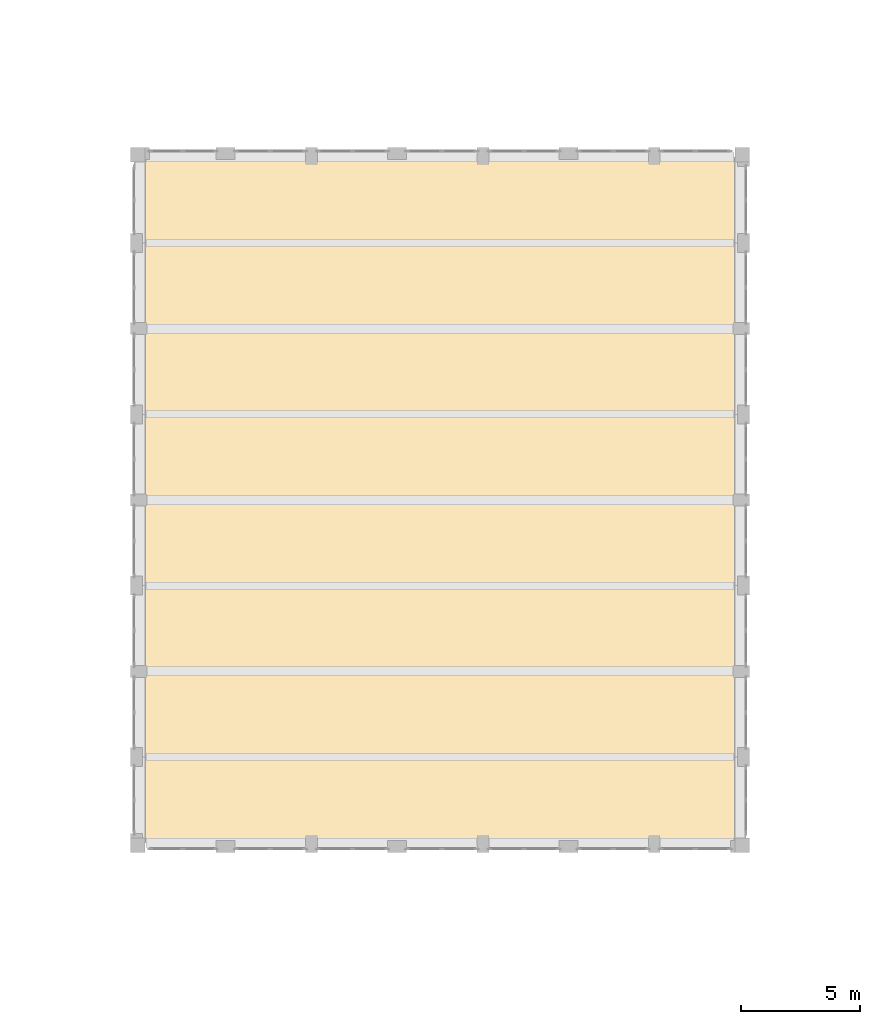
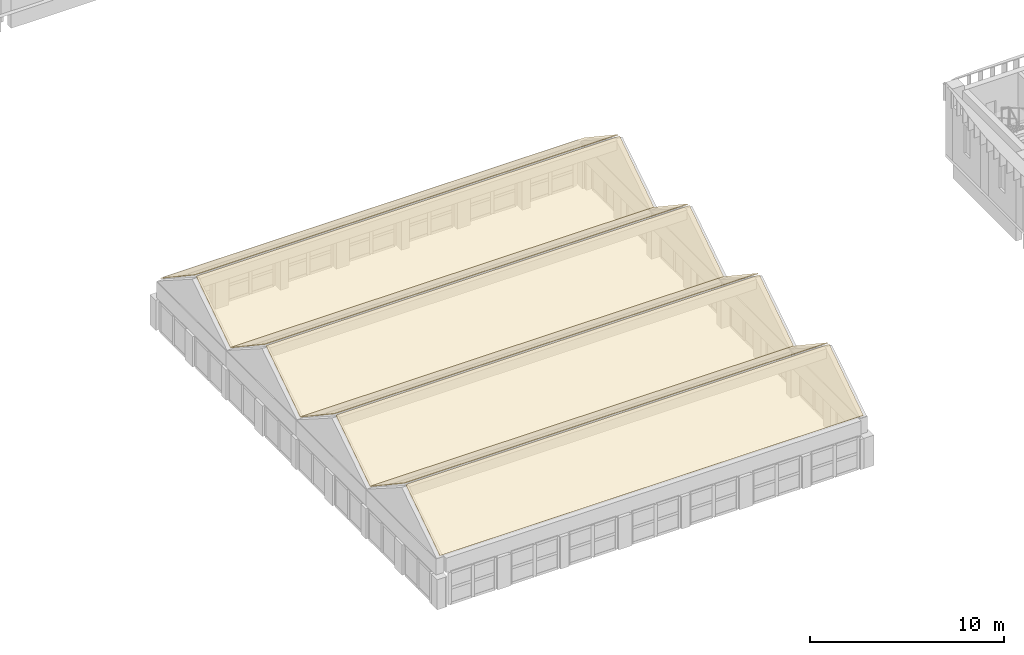
# One storey, part 19 of 38: 8 coverings.
"""IFC4 building model written with IfcOpenShell, lengths in metres."""

import ifcopenshell
import ifcopenshell.guid

model = None  # the IFC model being written
_history = None  # IfcOwnerHistory: only IFC2X3 demands one
_inside = {}  # id of a spatial element -> (the spatial element, [elements in it])
_under = {}  # id of a project, library or spatial element -> (it, [spatial elements below it])
_declared = {}  # id of a project -> (the project, [libraries it declares])
_typed = {}  # id of a type object -> (the type object, [elements of that type])
_made_of = {}  # id of a material, layer set ... -> (it, [elements and type objects made of it])


def new_model(schema):
    """Start an empty IFC model of exactly this schema.

    Asked for "IFC4X3", IfcOpenShell would pick the latest addendum, in which some entities
    have other attributes; the version numbers below select the first issue.
    IFC2X3 requires an IfcOwnerHistory on every rooted entity: one is made here for all.
    """
    global model, _history
    if schema == "IFC4X3":
        model = ifcopenshell.file(schema_version=(4, 3, 0, 0))
    else:
        model = ifcopenshell.file(schema=schema)
    _inside.clear()
    _under.clear()
    _declared.clear()
    _typed.clear()
    _made_of.clear()
    _history = None
    if model.schema == "IFC2X3":
        org = make("IfcOrganization", Name="unknown")
        user = make(
            "IfcPersonAndOrganization",
            ThePerson=make("IfcPerson", FamilyName="unknown"),
            TheOrganization=org,
        )
        app = make(
            "IfcApplication",
            ApplicationDeveloper=org,
            Version="unknown",
            ApplicationFullName="unknown",
            ApplicationIdentifier="unknown",
        )
        _history = make(
            "IfcOwnerHistory",
            OwningUser=user,
            OwningApplication=app,
            ChangeAction="ADDED",
            CreationDate=0,
        )
    return model


def make(cls, **values):
    """One entity of the class cls with the attributes given. An attribute that is None is left unset."""
    return model.create_entity(
        cls, **{name: value for name, value in values.items() if value is not None}
    )


def rooted(cls, **values):
    """An entity with a GlobalId (a new one), such as an element, a storey or a relation."""
    return make(cls, GlobalId=ifcopenshell.guid.new(), OwnerHistory=_history, **values)


def si_unit(unit_type, name, prefix=None):
    """IfcSIUnit, for example si_unit("LENGTHUNIT", "METRE", prefix="MILLI")."""
    return make("IfcSIUnit", UnitType=unit_type, Prefix=prefix, Name=name)


def assignment(units):
    """IfcUnitAssignment: the units of a project."""
    return None if units is None else make("IfcUnitAssignment", Units=units)


def point(xyz):
    """IfcCartesianPoint."""
    return None if xyz is None else make("IfcCartesianPoint", Coordinates=xyz)


def direction(xyz):
    """IfcDirection."""
    return None if xyz is None else make("IfcDirection", DirectionRatios=xyz)


def frame(location, z_axis=None, x_axis=None):
    """IfcAxis2Placement3D, a coordinate frame: its origin and axes. An axis left out is left unset."""
    return make(
        "IfcAxis2Placement3D",
        Location=point(location),
        Axis=direction(z_axis),
        RefDirection=direction(x_axis),
    )


def origin():
    """The frame at (0, 0, 0) with its axes left unset."""
    return frame((0.0, 0.0, 0.0))


def place(relative_to, where):
    """IfcLocalPlacement: puts the frame where relative to a parent placement (None: the world)."""
    return make(
        "IfcLocalPlacement", PlacementRelTo=relative_to, RelativePlacement=where
    )


def context(
    kind, dimensions, precision=None, world=None, true_north=None, identifier=None
):
    """IfcGeometricRepresentationContext, for example the 3D "Model" context."""
    return make(
        "IfcGeometricRepresentationContext",
        ContextIdentifier=identifier,
        ContextType=kind,
        CoordinateSpaceDimension=dimensions,
        Precision=precision,
        WorldCoordinateSystem=world,
        TrueNorth=true_north,
    )


def subcontext(parent, identifier, kind, view, scale=None):
    """IfcGeometricRepresentationSubContext, for example "Body" below "Model"."""
    return make(
        "IfcGeometricRepresentationSubContext",
        ContextIdentifier=identifier,
        ContextType=kind,
        ParentContext=parent,
        TargetScale=scale,
        TargetView=view,
    )


def project(units=None, contexts=None):
    """IfcProject with its units and contexts."""
    return rooted(
        "IfcProject",
        Name="project",
        RepresentationContexts=contexts,
        UnitsInContext=assignment(units),
    )


def spatial(cls, under=None, at=None, **own):
    """A site, building, storey or space (cls), placed at a placement, below another one or the project."""
    s = rooted(cls, ObjectPlacement=at, **own)
    if under is not None:
        _under.setdefault(under.id(), (under, []))[1].append(s)
    return s


def polyline(points):
    """IfcPolyline through the points."""
    return make("IfcPolyline", Points=[point(p) for p in points])


def outline(outer, holes=None, kind="AREA"):
    """IfcArbitraryClosedProfileDef: a profile drawn as a closed curve; with holes, ...WithVoids."""
    if holes is None:
        return make("IfcArbitraryClosedProfileDef", ProfileType=kind, OuterCurve=outer)
    return make(
        "IfcArbitraryProfileDefWithVoids",
        ProfileType=kind,
        OuterCurve=outer,
        InnerCurves=holes,
    )


def extrude(swept, where, along, depth):
    """IfcExtrudedAreaSolid: the profile swept, set in the frame where, extruded along a direction by depth."""
    return make(
        "IfcExtrudedAreaSolid",
        SweptArea=swept,
        Position=where,
        ExtrudedDirection=direction(along),
        Depth=depth,
    )


def shape(context_of_items, identifier, shape_type, items):
    """IfcShapeRepresentation: the items that make up one representation, for example the "Body"."""
    return make(
        "IfcShapeRepresentation",
        ContextOfItems=context_of_items,
        RepresentationIdentifier=identifier,
        RepresentationType=shape_type,
        Items=items,
    )


def material(Name=None, Category=None):
    """IfcMaterial."""
    return make("IfcMaterial", Name=Name, Category=Category)


def layer(
    of_material, thickness, ventilated=None, Name=None, Category=None, Priority=None
):
    """IfcMaterialLayer: one layer of a wall or slab, of a material (None: an air gap)."""
    return make(
        "IfcMaterialLayer",
        Material=of_material,
        LayerThickness=thickness,
        IsVentilated=ventilated,
        Name=Name,
        Category=Category,
        Priority=Priority,
    )


def layer_set(layers, Name=None):
    """IfcMaterialLayerSet."""
    return make("IfcMaterialLayerSet", MaterialLayers=layers, LayerSetName=Name)


def made_of(thing, what):
    """Note that an element or type object is made of a material, layer set ...; save() writes the relation."""
    if what is not None:
        _made_of.setdefault(what.id(), (what, []))[1].append(thing)
    return thing


def type_object(cls, material=None, **own):
    """A type object (cls), such as IfcWallType, which elements share."""
    return made_of(rooted(cls, **own), material)


def element(
    cls,
    number,
    at=None,
    inside=None,
    cuts=None,
    type_object=None,
    material=None,
    context=None,
    identifier="Body",
    shape_type=None,
    held_by="IfcProductDefinitionShape",
    body=None,
    shapes=None,
    **own,
):
    """One element of the class cls, such as IfcWall. Its Tag is "e" and its number.

    at: its placement. inside: the storey or other place that contains it. cuts: it is an
    opening in that element (IfcRelVoidsElement). A single representation is given by context,
    identifier, shape_type and body (its items); several are given by shapes. held_by: the class
    of the entity that holds the representations. save() writes the other relations.
    """
    e = rooted(cls, Tag="e%d" % number, ObjectPlacement=at, **own)
    if body is not None:
        shapes = [shape(context, identifier, shape_type, body)]
    if shapes is not None:
        e.Representation = make(held_by, Representations=shapes)
    if inside is not None:
        _inside.setdefault(inside.id(), (inside, []))[1].append(e)
    if cuts is not None:
        rooted(
            "IfcRelVoidsElement", RelatingBuildingElement=cuts, RelatedOpeningElement=e
        )
    if type_object is not None:
        _typed.setdefault(type_object.id(), (type_object, []))[1].append(e)
    return made_of(e, material)


def aggregate(whole, parts):
    """IfcRelAggregates: a whole, such as a stair, and the parts it consists of."""
    return rooted("IfcRelAggregates", RelatingObject=whole, RelatedObjects=parts)


def save(model, path):
    """Write the relations noted so far, then the file.

    IfcRelAggregates (storeys below a building ...), IfcRelContainedInSpatialStructure (elements
    in a storey), IfcRelDefinesByType, IfcRelAssociatesMaterial and IfcRelDeclares: one each for
    every whole, place, type object, material and project.
    """
    for whole, parts in _under.values():
        aggregate(whole, parts)
    for where, things in _inside.values():
        rooted(
            "IfcRelContainedInSpatialStructure",
            RelatedElements=things,
            RelatingStructure=where,
        )
    for kind, things in _typed.values():
        rooted("IfcRelDefinesByType", RelatedObjects=things, RelatingType=kind)
    for what, things in _made_of.values():
        rooted("IfcRelAssociatesMaterial", RelatedObjects=things, RelatingMaterial=what)
    for by, libraries in _declared.values():
        rooted("IfcRelDeclares", RelatingContext=by, RelatedDefinitions=libraries)
    model.write(path)


model = new_model("IFC4")

# Units and contexts
model_context = context("Model", 3, precision=1e-05, world=origin(), true_north=direction((0.0, 1.0)))
body_context = subcontext(model_context, "Body", "Model", "MODEL_VIEW")
ifc_project = project(units=[si_unit("LENGTHUNIT", "METRE"), si_unit("AREAUNIT", "SQUARE_METRE"), si_unit("VOLUMEUNIT", "CUBIC_METRE"), si_unit("PLANEANGLEUNIT", "RADIAN"), si_unit("MASSUNIT", "GRAM", prefix="KILO")], contexts=[model_context])

# Site, building, storey
site_placement = place(None, origin())
site = spatial("IfcSite", under=ifc_project, at=site_placement, CompositionType="ELEMENT")
building_placement = place(site_placement, origin())
building = spatial("IfcBuilding", under=site, at=building_placement, Name="Ussher Court Research Institute", CompositionType="ELEMENT")
storey_placement = place(building_placement, frame((0.0, 0.0, 23.39990234375)))
storey = spatial("IfcBuildingStorey", under=building, at=storey_placement, Name="L05", CompositionType="ELEMENT", Elevation=23.39990234375)

# Coverings
ifc_material = material(Name="White reflective membrane")
ifc_layer = layer(ifc_material, 0.0400390625)
ifc_layer_set = layer_set([ifc_layer], Name="White reflective membrane")
covering_type = type_object("IfcCoveringType", Name="White membrane covering on folded plate 40", PredefinedType="ROOFING", material=ifc_layer_set)
covering_1_placement = place(storey_placement, frame((39.0, 11.199951171875, 3.048095703125), z_axis=(0.0, -0.554686866501, 0.832059180667), x_axis=(1.0, 0.0, 0.0)))
element("IfcCovering", 1, at=covering_1_placement, inside=storey, type_object=covering_type, Name="Roof covering RC2 V2", PredefinedType="ROOFING", context=body_context, shape_type="SweptSolid", body=[
    extrude(outline(polyline([(0.0, 0.0), (25.199951171875, 0.0), (25.199951171875, 4.226677362428985), (0.0, 4.226677362428985), (0.0, 0.0)])), origin(), (0.0, 0.0, -1.0), 0.0400390625),
])
covering_2_placement = place(storey_placement, frame((39.0, 18.39990234375, 3.048095703125), z_axis=(0.0, 0.554713526448, 0.832041407368), x_axis=(1.0, 0.0, 0.0)))
element("IfcCovering", 2, at=covering_2_placement, inside=storey, type_object=covering_type, Name="Roof covering RC2 V2", PredefinedType="ROOFING", context=body_context, shape_type="SweptSolid", body=[
    extrude(outline(polyline([(0.0, 0.0), (25.199951171875, 0.0), (25.199951171875, -4.22647422515012), (0.0, -4.22647422515012), (0.0, 0.0)])), origin(), (0.0, 0.0, -1.0), 0.0400390625),
])
covering_3_placement = place(storey_placement, frame((39.0, 18.39990234375, 3.048095703125), z_axis=(0.0, -0.554686866501, 0.832059180667), x_axis=(1.0, 0.0, 0.0)))
element("IfcCovering", 3, at=covering_3_placement, inside=storey, type_object=covering_type, Name="Roof covering RC2 V2", PredefinedType="ROOFING", context=body_context, shape_type="SweptSolid", body=[
    extrude(outline(polyline([(0.0, 0.0), (25.199951171875, 0.0), (25.199951171875, 4.226677362428985), (0.0, 4.226677362428985), (0.0, 0.0)])), origin(), (0.0, 0.0, -1.0), 0.0400390625),
])
covering_4_placement = place(storey_placement, frame((39.0, 25.60009765625, 3.048095703125), z_axis=(0.0, 0.554686866501, 0.832059180667), x_axis=(1.0, 0.0, 0.0)))
element("IfcCovering", 4, at=covering_4_placement, inside=storey, type_object=covering_type, Name="Roof covering RC2 V2", PredefinedType="ROOFING", context=body_context, shape_type="SweptSolid", body=[
    extrude(outline(polyline([(0.0, 0.0), (25.199951171875, 0.0), (25.199951171875, -4.226677362428985), (0.0, -4.226677362428985), (0.0, 0.0)])), origin(), (0.0, 0.0, -1.0), 0.0400390625),
])
covering_5_placement = place(storey_placement, frame((39.0, 25.60009765625, 3.048095703125), z_axis=(0.0, -0.554713526448, 0.832041407368), x_axis=(1.0, 0.0, 0.0)))
element("IfcCovering", 5, at=covering_5_placement, inside=storey, type_object=covering_type, Name="Roof covering RC2 V2", PredefinedType="ROOFING", context=body_context, shape_type="SweptSolid", body=[
    extrude(outline(polyline([(0.0, 0.0), (25.199951171875, 0.0), (25.199951171875, 4.22647422515012), (0.0, 4.22647422515012), (0.0, 0.0)])), origin(), (0.0, 0.0, -1.0), 0.0400390625),
])
covering_6_placement = place(storey_placement, frame((39.0, 32.800048828125, 3.048095703125), z_axis=(0.0, 0.554686866501, 0.832059180667), x_axis=(1.0, 0.0, 0.0)))
element("IfcCovering", 6, at=covering_6_placement, inside=storey, type_object=covering_type, Name="Roof covering RC2 V2", PredefinedType="ROOFING", context=body_context, shape_type="SweptSolid", body=[
    extrude(outline(polyline([(0.0, 0.0), (25.199951171875, 0.0), (25.199951171875, -4.226677362428985), (0.0, -4.226677362428985), (0.0, 0.0)])), origin(), (0.0, 0.0, -1.0), 0.0400390625),
])
covering_7_placement = place(storey_placement, frame((39.0, 32.800048828125, 3.048095703125), z_axis=(0.0, -0.554686866501, 0.832059180667), x_axis=(1.0, 0.0, 0.0)))
element("IfcCovering", 7, at=covering_7_placement, inside=storey, type_object=covering_type, Name="Roof covering RC2 V2", PredefinedType="ROOFING", context=body_context, shape_type="SweptSolid", body=[
    extrude(outline(polyline([(0.0, 0.0), (25.199951171875, 0.0), (25.199951171875, 4.226677362428985), (0.0, 4.226677362428985), (0.0, 0.0)])), origin(), (0.0, 0.0, -1.0), 0.0400390625),
])
covering_8_placement = place(storey_placement, frame((39.0, 40.0, 3.048095703125), z_axis=(0.0, 0.554686866501, 0.832059180667), x_axis=(1.0, 0.0, 0.0)))
element("IfcCovering", 8, at=covering_8_placement, inside=storey, type_object=covering_type, Name="Roof covering RC2 V2", PredefinedType="ROOFING", context=body_context, shape_type="SweptSolid", body=[
    extrude(outline(polyline([(0.0, 0.0), (25.199951171875, 0.0), (25.199951171875, -4.226677362428985), (0.0, -4.226677362428985), (0.0, 0.0)])), origin(), (0.0, 0.0, -1.0), 0.0400390625),
])

save(model, "model.ifc")
